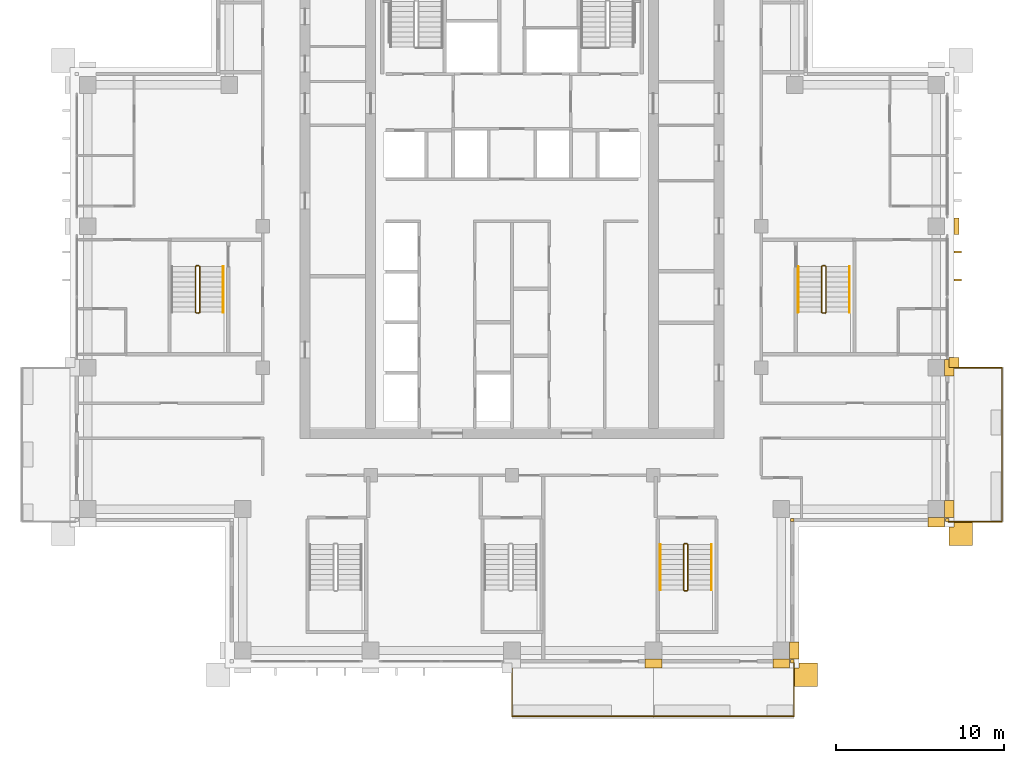
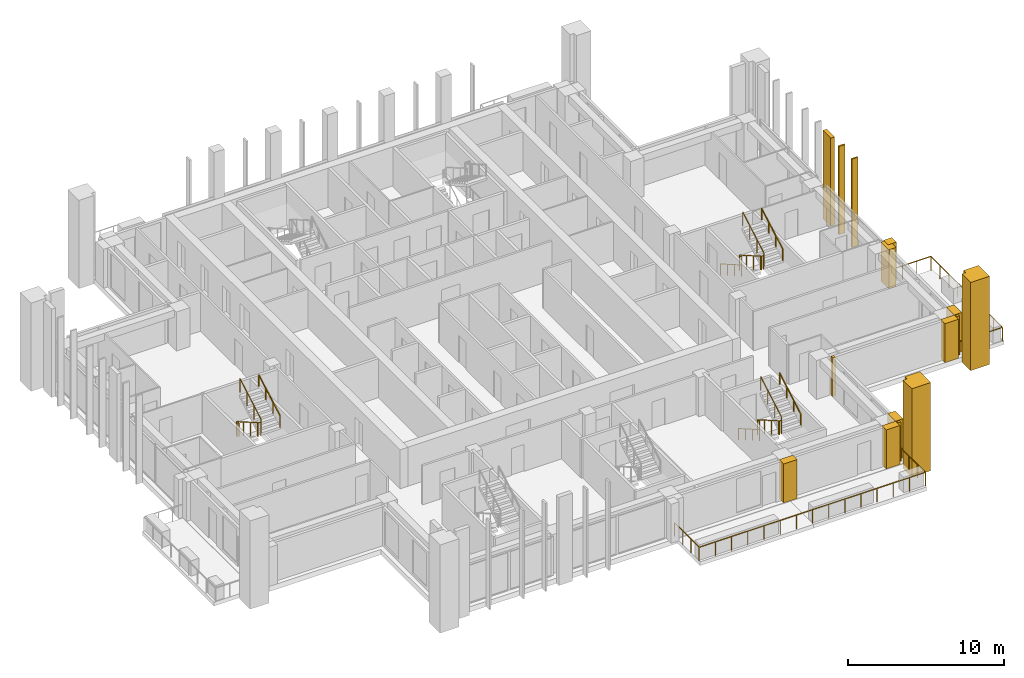
# One storey, part 16 of 18: 15 coverings, 11 railings.
"""IFC4 building model written with IfcOpenShell, lengths in metres."""

from ifc_helpers import new_model, si_unit, direction, frame, origin, origin_2d, place, context, subcontext, project, spatial, polyline, rectangle, outline, extrude, material, layer, layer_set, type_object, element, save


model = new_model("IFC4")

# Units and contexts
model_context = context("Model", 3, precision=1e-05, world=origin(), true_north=direction((0.0, 1.0)))
body_context = subcontext(model_context, "Body", "Model", "MODEL_VIEW")
ifc_project = project(units=[si_unit("LENGTHUNIT", "METRE"), si_unit("AREAUNIT", "SQUARE_METRE"), si_unit("VOLUMEUNIT", "CUBIC_METRE"), si_unit("PLANEANGLEUNIT", "RADIAN"), si_unit("MASSUNIT", "GRAM", prefix="KILO")], contexts=[model_context])

# Site, building, storey
site_placement = place(None, origin())
site = spatial("IfcSite", under=ifc_project, at=site_placement, CompositionType="ELEMENT")
building_placement = place(site_placement, origin())
building = spatial("IfcBuilding", under=site, at=building_placement, Name="Vermilion Ogive Tower", CompositionType="ELEMENT")
storey_placement = place(building_placement, frame((0.0, 0.0, 185.89990234375)))
storey = spatial("IfcBuildingStorey", under=building, at=storey_placement, Name="L48", CompositionType="ELEMENT", Elevation=185.89990234375)

# Railings
ifc_material_1 = material(Name="Stainless steel and glass", Category="steel")
railing_type_1 = type_object("IfcRailingType", Name="Balcony guard", PredefinedType="GUARDRAIL", material=ifc_material_1)
railing_1_placement = place(storey_placement, frame((0.0, -21.75, -0.039794921875)))
element("IfcRailing", 1, at=railing_1_placement, inside=storey, type_object=railing_type_1, Name="Guard S03", PredefinedType="GUARDRAIL", context=body_context, shape_type="SweptSolid", body=[
    extrude(rectangle(XDim=0.048095703125, YDim=0.048095703125, at=origin_2d()), frame((0.0, 0.0, 1.076171875), z_axis=(0.0, -1.0, 0.0), x_axis=(1.0, 0.0, 0.0)), (0.0, 0.0, 1.0), 3.159912109375),
    extrude(rectangle(XDim=0.048095703125, YDim=0.048095703125, at=origin_2d()), frame((0.0, -3.159912109375, 1.076171875), z_axis=(1.0, 0.0, 0.0), x_axis=(0.0, 1.0, 0.0)), (0.0, 0.0, 1.0), 8.39990234375),
    extrude(rectangle(XDim=0.0419921875, YDim=0.0419921875, at=origin_2d()), origin(), (0.0, 0.0, 1.0), 1.052001953125),
    extrude(rectangle(XDim=0.0419921875, YDim=0.0419921875, at=origin_2d()), frame((0.0, -1.05322265625, 0.0)), (0.0, 0.0, 1.0), 1.052001953125),
    extrude(rectangle(XDim=0.0419921875, YDim=0.0419921875, at=origin_2d()), frame((0.0, -2.106689453125, 0.0)), (0.0, 0.0, 1.0), 1.052001953125),
    extrude(rectangle(XDim=0.0419921875, YDim=0.0419921875, at=origin_2d()), frame((0.0, -3.159912109375, 0.0)), (0.0, 0.0, 1.0), 1.052001953125),
    extrude(rectangle(XDim=0.0419921875, YDim=0.0419921875, at=origin_2d()), frame((1.199951171875, -3.159912109375, 0.0)), (0.0, 0.0, 1.0), 1.052001953125),
    extrude(rectangle(XDim=0.0419921875, YDim=0.0419921875, at=origin_2d()), frame((2.39990234375, -3.159912109375, 0.0)), (0.0, 0.0, 1.0), 1.052001953125),
    extrude(rectangle(XDim=0.0419921875, YDim=0.0419921875, at=origin_2d()), frame((3.599853515625, -3.159912109375, 0.0)), (0.0, 0.0, 1.0), 1.052001953125),
    extrude(rectangle(XDim=0.0419921875, YDim=0.0419921875, at=origin_2d()), frame((4.800048828125, -3.159912109375, 0.0)), (0.0, 0.0, 1.0), 1.052001953125),
    extrude(rectangle(XDim=0.0419921875, YDim=0.0419921875, at=origin_2d()), frame((6.0, -3.159912109375, 0.0)), (0.0, 0.0, 1.0), 1.052001953125),
    extrude(rectangle(XDim=0.0419921875, YDim=0.0419921875, at=origin_2d()), frame((7.199951171875, -3.159912109375, 0.0)), (0.0, 0.0, 1.0), 1.052001953125),
    extrude(rectangle(XDim=0.0419921875, YDim=0.0419921875, at=origin_2d()), frame((8.39990234375, -3.159912109375, 0.0)), (0.0, 0.0, 1.0), 1.052001953125),
])
railing_2_placement = place(storey_placement, frame((8.39990234375, -24.909912109375, -0.039794921875)))
element("IfcRailing", 2, at=railing_2_placement, inside=storey, type_object=railing_type_1, Name="Guard S04", PredefinedType="GUARDRAIL", context=body_context, shape_type="SweptSolid", body=[
    extrude(rectangle(XDim=0.048095703125, YDim=0.048095703125, at=origin_2d()), frame((0.0, 0.0, 1.076171875), z_axis=(1.0, 0.0, 0.0), x_axis=(0.0, 1.0, 0.0)), (0.0, 0.0, 1.0), 8.35009765625),
    extrude(rectangle(XDim=0.048095703125, YDim=0.048095703125, at=origin_2d()), frame((8.35009765625, 0.0, 1.076171875), z_axis=(0.0, 1.0, 0.0), x_axis=(-1.0, 0.0, 0.0)), (0.0, 0.0, 1.0), 3.159912109375),
    extrude(rectangle(XDim=0.0419921875, YDim=0.0419921875, at=origin_2d()), origin(), (0.0, 0.0, 1.0), 1.052001953125),
    extrude(rectangle(XDim=0.0419921875, YDim=0.0419921875, at=origin_2d()), frame((1.19287109375, 0.0, 0.0)), (0.0, 0.0, 1.0), 1.052001953125),
    extrude(rectangle(XDim=0.0419921875, YDim=0.0419921875, at=origin_2d()), frame((2.3857421875, 0.0, 0.0)), (0.0, 0.0, 1.0), 1.052001953125),
    extrude(rectangle(XDim=0.0419921875, YDim=0.0419921875, at=origin_2d()), frame((3.57861328125, 0.0, 0.0)), (0.0, 0.0, 1.0), 1.052001953125),
    extrude(rectangle(XDim=0.0419921875, YDim=0.0419921875, at=origin_2d()), frame((4.771484375, 0.0, 0.0)), (0.0, 0.0, 1.0), 1.052001953125),
    extrude(rectangle(XDim=0.0419921875, YDim=0.0419921875, at=origin_2d()), frame((5.96435546875, 0.0, 0.0)), (0.0, 0.0, 1.0), 1.052001953125),
    extrude(rectangle(XDim=0.0419921875, YDim=0.0419921875, at=origin_2d()), frame((7.1572265625, 0.0, 0.0)), (0.0, 0.0, 1.0), 1.052001953125),
    extrude(rectangle(XDim=0.0419921875, YDim=0.0419921875, at=origin_2d()), frame((8.35009765625, 0.0, 0.0)), (0.0, 0.0, 1.0), 1.052001953125),
    extrude(rectangle(XDim=0.0419921875, YDim=0.0419921875, at=origin_2d()), frame((8.35009765625, 1.05322265625, 0.0)), (0.0, 0.0, 1.0), 1.052001953125),
    extrude(rectangle(XDim=0.0419921875, YDim=0.0419921875, at=origin_2d()), frame((8.35009765625, 2.106689453125, 0.0)), (0.0, 0.0, 1.0), 1.052001953125),
    extrude(rectangle(XDim=0.0419921875, YDim=0.0419921875, at=origin_2d()), frame((8.35009765625, 3.159912109375, 0.0)), (0.0, 0.0, 1.0), 1.052001953125),
])
railing_3_placement = place(storey_placement, frame((25.949951171875, -13.35009765625, -0.039794921875)))
element("IfcRailing", 3, at=railing_3_placement, inside=storey, type_object=railing_type_1, Name="Guard E01", PredefinedType="GUARDRAIL", context=body_context, shape_type="SweptSolid", body=[
    extrude(rectangle(XDim=0.048095703125, YDim=0.048095703125, at=origin_2d()), frame((0.0, 0.0, 1.076171875), z_axis=(1.0, 0.0, 0.0), x_axis=(0.0, 1.0, 0.0)), (0.0, 0.0, 1.0), 3.16015625),
    extrude(rectangle(XDim=0.048095703125, YDim=0.048095703125, at=origin_2d()), frame((3.16015625, 0.0, 1.076171875), z_axis=(0.0, 1.0, 0.0), x_axis=(-1.0, 0.0, 0.0)), (0.0, 0.0, 1.0), 9.150146484375),
    extrude(rectangle(XDim=0.048095703125, YDim=0.048095703125, at=origin_2d()), frame((3.16015625, 9.150146484375, 1.076171875), z_axis=(-1.0, 0.0, 0.0), x_axis=(0.0, -1.0, 0.0)), (0.0, 0.0, 1.0), 3.16015625),
    extrude(rectangle(XDim=0.0419921875, YDim=0.0419921875, at=origin_2d()), origin(), (0.0, 0.0, 1.0), 1.052001953125),
    extrude(rectangle(XDim=0.0419921875, YDim=0.0419921875, at=origin_2d()), frame((1.053466796875, 0.0, 0.0)), (0.0, 0.0, 1.0), 1.052001953125),
    extrude(rectangle(XDim=0.0419921875, YDim=0.0419921875, at=origin_2d()), frame((2.106689453125, 0.0, 0.0)), (0.0, 0.0, 1.0), 1.052001953125),
    extrude(rectangle(XDim=0.0419921875, YDim=0.0419921875, at=origin_2d()), frame((3.16015625, 0.0, 0.0)), (0.0, 0.0, 1.0), 1.052001953125),
    extrude(rectangle(XDim=0.0419921875, YDim=0.0419921875, at=origin_2d()), frame((3.16015625, 1.143798828125, 0.0)), (0.0, 0.0, 1.0), 1.052001953125),
    extrude(rectangle(XDim=0.0419921875, YDim=0.0419921875, at=origin_2d()), frame((3.16015625, 2.28759765625, 0.0)), (0.0, 0.0, 1.0), 1.052001953125),
    extrude(rectangle(XDim=0.0419921875, YDim=0.0419921875, at=origin_2d()), frame((3.16015625, 3.431396484375, 0.0)), (0.0, 0.0, 1.0), 1.052001953125),
    extrude(rectangle(XDim=0.0419921875, YDim=0.0419921875, at=origin_2d()), frame((3.16015625, 4.5751953125, 0.0)), (0.0, 0.0, 1.0), 1.052001953125),
    extrude(rectangle(XDim=0.0419921875, YDim=0.0419921875, at=origin_2d()), frame((3.16015625, 5.71875, 0.0)), (0.0, 0.0, 1.0), 1.052001953125),
    extrude(rectangle(XDim=0.0419921875, YDim=0.0419921875, at=origin_2d()), frame((3.16015625, 6.862548828125, 0.0)), (0.0, 0.0, 1.0), 1.052001953125),
    extrude(rectangle(XDim=0.0419921875, YDim=0.0419921875, at=origin_2d()), frame((3.16015625, 8.00634765625, 0.0)), (0.0, 0.0, 1.0), 1.052001953125),
    extrude(rectangle(XDim=0.0419921875, YDim=0.0419921875, at=origin_2d()), frame((3.16015625, 9.150146484375, 0.0)), (0.0, 0.0, 1.0), 1.052001953125),
    extrude(rectangle(XDim=0.0419921875, YDim=0.0419921875, at=origin_2d()), frame((2.106689453125, 9.150146484375, 0.0)), (0.0, 0.0, 1.0), 1.052001953125),
    extrude(rectangle(XDim=0.0419921875, YDim=0.0419921875, at=origin_2d()), frame((1.053466796875, 9.150146484375, 0.0)), (0.0, 0.0, 1.0), 1.052001953125),
    extrude(rectangle(XDim=0.0419921875, YDim=0.0419921875, at=origin_2d()), frame((0.0, 9.150146484375, 0.0)), (0.0, 0.0, 1.0), 1.052001953125),
])

# Coverings
ifc_material_2 = material(Name="Glazed ceramic screen")
ifc_layer = layer(ifc_material_2, 0.14990234375)
ifc_layer_set = layer_set([ifc_layer], Name="Ceramic solar screen fin")
covering_type_1 = type_object("IfcCoveringType", Name="Ceramic solar screen fin", PredefinedType="CLADDING", material=ifc_layer_set)
covering_1_placement = place(storey_placement, frame((0.0, 0.0, -0.39990234375)))
element("IfcCovering", 4, at=covering_1_placement, inside=storey, type_object=covering_type_1, Name="Solar screen blade E001", PredefinedType="CLADDING", context=body_context, shape_type="SweptSolid", body=[
    extrude(outline(polyline([(26.699951171875, 0.965087890625), (26.699951171875, 1.0849609375), (26.25, 1.0849609375), (26.25, 0.965087890625), (26.699951171875, 0.965087890625)])), origin(), (0.0, 0.0, 1.0), 6.89990234375),
])
covering_2_placement = place(storey_placement, frame((0.0, 0.0, -0.39990234375)))
element("IfcCovering", 5, at=covering_2_placement, inside=storey, type_object=covering_type_1, Name="Solar screen blade E002", PredefinedType="CLADDING", context=body_context, shape_type="SweptSolid", body=[
    extrude(outline(polyline([(26.699951171875, 2.614990234375), (26.699951171875, 2.735107421875), (26.25, 2.735107421875), (26.25, 2.614990234375), (26.699951171875, 2.614990234375)])), origin(), (0.0, 0.0, 1.0), 6.89990234375),
])

# Railings
ifc_material_3 = material(Name="Steel S355 painted", Category="steel")
railing_type_2 = type_object("IfcRailingType", Name="Stair guard 1100", PredefinedType="GUARDRAIL", material=ifc_material_3)
railing_4_placement = place(storey_placement, frame((10.39990234375, -14.64990234375, 0.0)))
element("IfcRailing", 6, at=railing_4_placement, inside=storey, type_object=railing_type_2, Name="L48 ST5 stair guard 4", PredefinedType="GUARDRAIL", context=body_context, shape_type="SweptSolid", body=[
    extrude(rectangle(XDim=0.048095703125, YDim=0.048095703125, at=origin_2d()), frame((0.0, 0.0, 1.076171875), z_axis=(-1.0, 0.0, 0.0), x_axis=(0.0, -1.0, 0.0)), (0.0, 0.0, 1.0), 0.14990234375),
    extrude(rectangle(XDim=0.048095703125, YDim=0.048095703125, at=origin_2d()), frame((-0.14990234375, 0.0, 1.076171875), z_axis=(-0.268277960024, -0.268277960024, 0.925231793839), x_axis=(0.707106781187, -0.707106781187, 0.0)), (0.0, 0.0, 1.0), 0.1865234375),
    extrude(rectangle(XDim=0.048095703125, YDim=0.048095703125, at=origin_2d()), frame((-0.199951171875, -0.050048828125, 1.24853515625), z_axis=(0.0, -0.866903762492, 0.498475542607), x_axis=(1.0, 0.0, 0.0)), (0.0, 0.0, 1.0), 3.114501953125),
    extrude(rectangle(XDim=0.048095703125, YDim=0.048095703125, at=origin_2d()), frame((-0.199951171875, -2.75, 2.80126953125), z_axis=(0.707106781187, -0.707106781187, 0.0), x_axis=(0.707106781187, 0.707106781187, 0.0)), (0.0, 0.0, 1.0), 0.07080078125),
    extrude(rectangle(XDim=0.048095703125, YDim=0.048095703125, at=origin_2d()), frame((-0.14990234375, -2.800048828125, 2.80126953125), z_axis=(1.0, 0.0, 0.0), x_axis=(0.0, 1.0, 0.0)), (0.0, 0.0, 1.0), 0.14990234375),
    extrude(rectangle(XDim=0.048095703125, YDim=0.048095703125, at=origin_2d()), frame((0.0, -2.800048828125, 2.80126953125), z_axis=(0.268277960024, 0.268277960024, 0.925231793839), x_axis=(-0.707106781187, 0.707106781187, 0.0)), (0.0, 0.0, 1.0), 0.1865234375),
    extrude(rectangle(XDim=0.048095703125, YDim=0.048095703125, at=origin_2d()), frame((0.050048828125, -2.75, 2.9736328125), z_axis=(0.0, 0.866903762492, 0.498475542607), x_axis=(-1.0, 0.0, 0.0)), (0.0, 0.0, 1.0), 3.114501953125),
    extrude(rectangle(XDim=0.0419921875, YDim=0.0419921875, at=origin_2d()), origin(), (0.0, 0.0, 1.0), 1.052001953125),
    extrude(rectangle(XDim=0.0419921875, YDim=0.0419921875, at=origin_2d()), frame((-0.14990234375, 0.0, 0.0)), (0.0, 0.0, 1.0), 1.052001953125),
    extrude(rectangle(XDim=0.0419921875, YDim=0.0419921875, at=origin_2d()), frame((-0.199951171875, -0.050048828125, 0.172607421875)), (0.0, 0.0, 1.0), 1.052001953125),
    extrude(rectangle(XDim=0.0419921875, YDim=0.0419921875, at=origin_2d()), frame((-0.199951171875, -0.949951171875, 0.690185546875)), (0.0, 0.0, 1.0), 1.052001953125),
    extrude(rectangle(XDim=0.0419921875, YDim=0.0419921875, at=origin_2d()), frame((-0.199951171875, -1.85009765625, 1.20751953125)), (0.0, 0.0, 1.0), 1.052001953125),
    extrude(rectangle(XDim=0.0419921875, YDim=0.0419921875, at=origin_2d()), frame((-0.199951171875, -2.75, 1.72509765625)), (0.0, 0.0, 1.0), 1.052001953125),
    extrude(rectangle(XDim=0.0419921875, YDim=0.0419921875, at=origin_2d()), frame((-0.14990234375, -2.800048828125, 1.72509765625)), (0.0, 0.0, 1.0), 1.052001953125),
    extrude(rectangle(XDim=0.0419921875, YDim=0.0419921875, at=origin_2d()), frame((0.0, -2.800048828125, 1.72509765625)), (0.0, 0.0, 1.0), 1.052001953125),
    extrude(rectangle(XDim=0.0419921875, YDim=0.0419921875, at=origin_2d()), frame((0.050048828125, -2.75, 1.897705078125)), (0.0, 0.0, 1.0), 1.052001953125),
    extrude(rectangle(XDim=0.0419921875, YDim=0.0419921875, at=origin_2d()), frame((0.050048828125, -1.85009765625, 2.415283203125)), (0.0, 0.0, 1.0), 1.052001953125),
    extrude(rectangle(XDim=0.0419921875, YDim=0.0419921875, at=origin_2d()), frame((0.050048828125, -0.949951171875, 2.9326171875)), (0.0, 0.0, 1.0), 1.052001953125),
    extrude(rectangle(XDim=0.0419921875, YDim=0.0419921875, at=origin_2d()), frame((0.050048828125, -0.050048828125, 3.4501953125)), (0.0, 0.0, 1.0), 1.052001953125),
])
railing_5_placement = place(storey_placement, frame((18.60009765625, 1.85009765625, 0.0)))
element("IfcRailing", 7, at=railing_5_placement, inside=storey, type_object=railing_type_2, Name="L48 ST8 stair guard 4", PredefinedType="GUARDRAIL", context=body_context, shape_type="SweptSolid", body=[
    extrude(rectangle(XDim=0.048095703125, YDim=0.048095703125, at=origin_2d()), frame((0.0, 0.0, 1.076171875), z_axis=(-1.0, 0.0, 0.0), x_axis=(0.0, -1.0, 0.0)), (0.0, 0.0, 1.0), 0.150146484375),
    extrude(rectangle(XDim=0.048095703125, YDim=0.048095703125, at=origin_2d()), frame((-0.150146484375, 0.0, 1.076171875), z_axis=(-0.268277960024, -0.268277960024, 0.925231793839), x_axis=(0.707106781187, -0.707106781187, 0.0)), (0.0, 0.0, 1.0), 0.1865234375),
    extrude(rectangle(XDim=0.048095703125, YDim=0.048095703125, at=origin_2d()), frame((-0.2001953125, -0.050048828125, 1.24853515625), z_axis=(0.0, -0.866903762492, 0.498475542607), x_axis=(1.0, 0.0, 0.0)), (0.0, 0.0, 1.0), 3.114501953125),
    extrude(rectangle(XDim=0.048095703125, YDim=0.048095703125, at=origin_2d()), frame((-0.2001953125, -2.75, 2.80126953125), z_axis=(0.707106781187, -0.707106781187, 0.0), x_axis=(0.707106781187, 0.707106781187, 0.0)), (0.0, 0.0, 1.0), 0.07080078125),
    extrude(rectangle(XDim=0.048095703125, YDim=0.048095703125, at=origin_2d()), frame((-0.150146484375, -2.800048828125, 2.80126953125), z_axis=(1.0, 0.0, 0.0), x_axis=(0.0, 1.0, 0.0)), (0.0, 0.0, 1.0), 0.150146484375),
    extrude(rectangle(XDim=0.048095703125, YDim=0.048095703125, at=origin_2d()), frame((0.0, -2.800048828125, 2.80126953125), z_axis=(0.267062837333, 0.268371968888, 0.925556009775), x_axis=(-0.708833529934, 0.705375805398, 0.0)), (0.0, 0.0, 1.0), 0.1865234375),
    extrude(rectangle(XDim=0.048095703125, YDim=0.048095703125, at=origin_2d()), frame((0.0498046875, -2.75, 2.9736328125), z_axis=(0.0, 0.866903762492, 0.498475542607), x_axis=(-1.0, 0.0, 0.0)), (0.0, 0.0, 1.0), 3.114501953125),
    extrude(rectangle(XDim=0.0419921875, YDim=0.0419921875, at=origin_2d()), origin(), (0.0, 0.0, 1.0), 1.052001953125),
    extrude(rectangle(XDim=0.0419921875, YDim=0.0419921875, at=origin_2d()), frame((-0.150146484375, 0.0, 0.0)), (0.0, 0.0, 1.0), 1.052001953125),
    extrude(rectangle(XDim=0.0419921875, YDim=0.0419921875, at=origin_2d()), frame((-0.2001953125, -0.050048828125, 0.172607421875)), (0.0, 0.0, 1.0), 1.052001953125),
    extrude(rectangle(XDim=0.0419921875, YDim=0.0419921875, at=origin_2d()), frame((-0.2001953125, -0.949951171875, 0.690185546875)), (0.0, 0.0, 1.0), 1.052001953125),
    extrude(rectangle(XDim=0.0419921875, YDim=0.0419921875, at=origin_2d()), frame((-0.2001953125, -1.85009765625, 1.20751953125)), (0.0, 0.0, 1.0), 1.052001953125),
    extrude(rectangle(XDim=0.0419921875, YDim=0.0419921875, at=origin_2d()), frame((-0.2001953125, -2.75, 1.72509765625)), (0.0, 0.0, 1.0), 1.052001953125),
    extrude(rectangle(XDim=0.0419921875, YDim=0.0419921875, at=origin_2d()), frame((-0.150146484375, -2.800048828125, 1.72509765625)), (0.0, 0.0, 1.0), 1.052001953125),
    extrude(rectangle(XDim=0.0419921875, YDim=0.0419921875, at=origin_2d()), frame((0.0, -2.800048828125, 1.72509765625)), (0.0, 0.0, 1.0), 1.052001953125),
    extrude(rectangle(XDim=0.0419921875, YDim=0.0419921875, at=origin_2d()), frame((0.0498046875, -2.75, 1.897705078125)), (0.0, 0.0, 1.0), 1.052001953125),
    extrude(rectangle(XDim=0.0419921875, YDim=0.0419921875, at=origin_2d()), frame((0.0498046875, -1.85009765625, 2.415283203125)), (0.0, 0.0, 1.0), 1.052001953125),
    extrude(rectangle(XDim=0.0419921875, YDim=0.0419921875, at=origin_2d()), frame((0.0498046875, -0.949951171875, 2.9326171875)), (0.0, 0.0, 1.0), 1.052001953125),
    extrude(rectangle(XDim=0.0419921875, YDim=0.0419921875, at=origin_2d()), frame((0.0498046875, -0.050048828125, 3.4501953125)), (0.0, 0.0, 1.0), 1.052001953125),
])
railing_6_placement = place(storey_placement, frame((-18.60009765625, 1.85009765625, 0.0)))
element("IfcRailing", 8, at=railing_6_placement, inside=storey, type_object=railing_type_2, Name="L48 ST9 stair guard 4", PredefinedType="GUARDRAIL", context=body_context, shape_type="SweptSolid", body=[
    extrude(rectangle(XDim=0.048095703125, YDim=0.048095703125, at=origin_2d()), frame((0.0, 0.0, 1.076171875), z_axis=(-1.0, 0.0, 0.0), x_axis=(0.0, -1.0, 0.0)), (0.0, 0.0, 1.0), 0.14990234375),
    extrude(rectangle(XDim=0.048095703125, YDim=0.048095703125, at=origin_2d()), frame((-0.14990234375, 0.0, 1.076171875), z_axis=(-0.268277960024, -0.268277960024, 0.925231793839), x_axis=(0.707106781187, -0.707106781187, 0.0)), (0.0, 0.0, 1.0), 0.1865234375),
    extrude(rectangle(XDim=0.048095703125, YDim=0.048095703125, at=origin_2d()), frame((-0.199951171875, -0.050048828125, 1.24853515625), z_axis=(0.0, -0.866903762492, 0.498475542607), x_axis=(1.0, 0.0, 0.0)), (0.0, 0.0, 1.0), 3.114501953125),
    extrude(rectangle(XDim=0.048095703125, YDim=0.048095703125, at=origin_2d()), frame((-0.199951171875, -2.75, 2.80126953125), z_axis=(0.707106781187, -0.707106781187, 0.0), x_axis=(0.707106781187, 0.707106781187, 0.0)), (0.0, 0.0, 1.0), 0.07080078125),
    extrude(rectangle(XDim=0.048095703125, YDim=0.048095703125, at=origin_2d()), frame((-0.14990234375, -2.800048828125, 2.80126953125), z_axis=(1.0, 0.0, 0.0), x_axis=(0.0, 1.0, 0.0)), (0.0, 0.0, 1.0), 0.14990234375),
    extrude(rectangle(XDim=0.048095703125, YDim=0.048095703125, at=origin_2d()), frame((0.0, -2.800048828125, 2.80126953125), z_axis=(0.268277960024, 0.268277960024, 0.925231793839), x_axis=(-0.707106781187, 0.707106781187, 0.0)), (0.0, 0.0, 1.0), 0.1865234375),
    extrude(rectangle(XDim=0.048095703125, YDim=0.048095703125, at=origin_2d()), frame((0.050048828125, -2.75, 2.9736328125), z_axis=(0.0, 0.866903762492, 0.498475542607), x_axis=(-1.0, 0.0, 0.0)), (0.0, 0.0, 1.0), 3.114501953125),
    extrude(rectangle(XDim=0.0419921875, YDim=0.0419921875, at=origin_2d()), origin(), (0.0, 0.0, 1.0), 1.052001953125),
    extrude(rectangle(XDim=0.0419921875, YDim=0.0419921875, at=origin_2d()), frame((-0.14990234375, 0.0, 0.0)), (0.0, 0.0, 1.0), 1.052001953125),
    extrude(rectangle(XDim=0.0419921875, YDim=0.0419921875, at=origin_2d()), frame((-0.199951171875, -0.050048828125, 0.172607421875)), (0.0, 0.0, 1.0), 1.052001953125),
    extrude(rectangle(XDim=0.0419921875, YDim=0.0419921875, at=origin_2d()), frame((-0.199951171875, -0.949951171875, 0.690185546875)), (0.0, 0.0, 1.0), 1.052001953125),
    extrude(rectangle(XDim=0.0419921875, YDim=0.0419921875, at=origin_2d()), frame((-0.199951171875, -1.85009765625, 1.20751953125)), (0.0, 0.0, 1.0), 1.052001953125),
    extrude(rectangle(XDim=0.0419921875, YDim=0.0419921875, at=origin_2d()), frame((-0.199951171875, -2.75, 1.72509765625)), (0.0, 0.0, 1.0), 1.052001953125),
    extrude(rectangle(XDim=0.0419921875, YDim=0.0419921875, at=origin_2d()), frame((-0.14990234375, -2.800048828125, 1.72509765625)), (0.0, 0.0, 1.0), 1.052001953125),
    extrude(rectangle(XDim=0.0419921875, YDim=0.0419921875, at=origin_2d()), frame((0.0, -2.800048828125, 1.72509765625)), (0.0, 0.0, 1.0), 1.052001953125),
    extrude(rectangle(XDim=0.0419921875, YDim=0.0419921875, at=origin_2d()), frame((0.050048828125, -2.75, 1.897705078125)), (0.0, 0.0, 1.0), 1.052001953125),
    extrude(rectangle(XDim=0.0419921875, YDim=0.0419921875, at=origin_2d()), frame((0.050048828125, -1.85009765625, 2.415283203125)), (0.0, 0.0, 1.0), 1.052001953125),
    extrude(rectangle(XDim=0.0419921875, YDim=0.0419921875, at=origin_2d()), frame((0.050048828125, -0.949951171875, 2.9326171875)), (0.0, 0.0, 1.0), 1.052001953125),
    extrude(rectangle(XDim=0.0419921875, YDim=0.0419921875, at=origin_2d()), frame((0.050048828125, -0.050048828125, 3.4501953125)), (0.0, 0.0, 1.0), 1.052001953125),
])
ifc_material_4 = material(Name="Stainless steel", Category="steel")
railing_type_3 = type_object("IfcRailingType", Name="Stair handrail 900", PredefinedType="HANDRAIL", material=ifc_material_4)
railing_7_placement = place(storey_placement, frame((8.800048828125, -14.699951171875, 0.172607421875)))
element("IfcRailing", 9, at=railing_7_placement, inside=storey, type_object=railing_type_3, Name="L48 ST5 stair handrail 1", PredefinedType="HANDRAIL", context=body_context, shape_type="SweptSolid", body=[
    extrude(rectangle(XDim=0.048095703125, YDim=0.048095703125, at=origin_2d()), frame((0.0, 0.0, 0.8759765625), z_axis=(0.0, -0.866903762492, 0.498475542607), x_axis=(1.0, 0.0, 0.0)), (0.0, 0.0, 1.0), 3.114501953125),
    extrude(rectangle(XDim=0.0419921875, YDim=0.0419921875, at=origin_2d()), origin(), (0.0, 0.0, 1.0), 0.851806640625),
    extrude(rectangle(XDim=0.0419921875, YDim=0.0419921875, at=origin_2d()), frame((0.0, -0.89990234375, 0.517578125)), (0.0, 0.0, 1.0), 0.851806640625),
    extrude(rectangle(XDim=0.0419921875, YDim=0.0419921875, at=origin_2d()), frame((0.0, -1.800048828125, 1.034912109375)), (0.0, 0.0, 1.0), 0.851806640625),
    extrude(rectangle(XDim=0.0419921875, YDim=0.0419921875, at=origin_2d()), frame((0.0, -2.699951171875, 1.552490234375)), (0.0, 0.0, 1.0), 0.851806640625),
])
railing_8_placement = place(storey_placement, frame((11.85009765625, -17.39990234375, 1.897705078125)))
element("IfcRailing", 10, at=railing_8_placement, inside=storey, type_object=railing_type_3, Name="L48 ST5 stair handrail 2", PredefinedType="HANDRAIL", context=body_context, shape_type="SweptSolid", body=[
    extrude(rectangle(XDim=0.048095703125, YDim=0.048095703125, at=origin_2d()), frame((0.0, 0.0, 0.8759765625), z_axis=(0.0, 0.866903762492, 0.498475542607), x_axis=(-1.0, 0.0, 0.0)), (0.0, 0.0, 1.0), 3.114501953125),
    extrude(rectangle(XDim=0.0419921875, YDim=0.0419921875, at=origin_2d()), origin(), (0.0, 0.0, 1.0), 0.851806640625),
    extrude(rectangle(XDim=0.0419921875, YDim=0.0419921875, at=origin_2d()), frame((0.0, 0.89990234375, 0.517578125)), (0.0, 0.0, 1.0), 0.851806640625),
    extrude(rectangle(XDim=0.0419921875, YDim=0.0419921875, at=origin_2d()), frame((0.0, 1.800048828125, 1.034912109375)), (0.0, 0.0, 1.0), 0.851806640625),
    extrude(rectangle(XDim=0.0419921875, YDim=0.0419921875, at=origin_2d()), frame((0.0, 2.699951171875, 1.552490234375)), (0.0, 0.0, 1.0), 0.851806640625),
])
railing_9_placement = place(storey_placement, frame((17.0, 1.800048828125, 0.172607421875)))
element("IfcRailing", 11, at=railing_9_placement, inside=storey, type_object=railing_type_3, Name="L48 ST8 stair handrail 1", PredefinedType="HANDRAIL", context=body_context, shape_type="SweptSolid", body=[
    extrude(rectangle(XDim=0.048095703125, YDim=0.048095703125, at=origin_2d()), frame((0.0, 0.0, 0.8759765625), z_axis=(0.0, -0.866903762492, 0.498475542607), x_axis=(1.0, 0.0, 0.0)), (0.0, 0.0, 1.0), 3.114501953125),
    extrude(rectangle(XDim=0.0419921875, YDim=0.0419921875, at=origin_2d()), origin(), (0.0, 0.0, 1.0), 0.851806640625),
    extrude(rectangle(XDim=0.0419921875, YDim=0.0419921875, at=origin_2d()), frame((0.0, -0.89990234375, 0.517578125)), (0.0, 0.0, 1.0), 0.851806640625),
    extrude(rectangle(XDim=0.0419921875, YDim=0.0419921875, at=origin_2d()), frame((0.0, -1.800048828125, 1.034912109375)), (0.0, 0.0, 1.0), 0.851806640625),
    extrude(rectangle(XDim=0.0419921875, YDim=0.0419921875, at=origin_2d()), frame((0.0, -2.699951171875, 1.552490234375)), (0.0, 0.0, 1.0), 0.851806640625),
])
for number, where, name in (
    (12, (20.050048828125, -0.89990234375, 1.897705078125), "L48 ST8 stair handrail 2"),
    (13, (-17.14990234375, -0.89990234375, 1.897705078125), "L48 ST9 stair handrail 2"),
):
    element("IfcRailing", number, at=place(storey_placement, frame(where)), inside=storey, type_object=railing_type_3, Name=name, PredefinedType="HANDRAIL", context=body_context, shape_type="SweptSolid", body=[
        extrude(rectangle(XDim=0.048095703125, YDim=0.048095703125, at=origin_2d()), frame((0.0, 0.0, 0.8759765625), z_axis=(0.0, 0.866903762492, 0.498475542607), x_axis=(-1.0, 0.0, 0.0)), (0.0, 0.0, 1.0), 3.114501953125),
        extrude(rectangle(XDim=0.0419921875, YDim=0.0419921875, at=origin_2d()), origin(), (0.0, 0.0, 1.0), 0.851806640625),
        extrude(rectangle(XDim=0.0419921875, YDim=0.0419921875, at=origin_2d()), frame((0.0, 0.89990234375, 0.517578125)), (0.0, 0.0, 1.0), 0.851806640625),
        extrude(rectangle(XDim=0.0419921875, YDim=0.0419921875, at=origin_2d()), frame((0.0, 1.800048828125, 1.034912109375)), (0.0, 0.0, 1.0), 0.851806640625),
        extrude(rectangle(XDim=0.0419921875, YDim=0.0419921875, at=origin_2d()), frame((0.0, 2.699951171875, 1.552490234375)), (0.0, 0.0, 1.0), 0.851806640625),
    ])

# Coverings
ifc_material_5 = material(Name="Stone cladding", Category="masonry")
covering_type_2 = type_object("IfcCoveringType", Name="Stone corner buttress", PredefinedType="CLADDING", material=ifc_material_5)
covering_3_placement = place(storey_placement, origin())
element("IfcCovering", 14, at=covering_3_placement, inside=storey, type_object=covering_type_2, Name="Stone crease pier EK", PredefinedType="CLADDING", context=body_context, shape_type="SweptSolid", body=[
    extrude(outline(polyline([(26.550048828125, -4.199951171875), (26.550048828125, -3.60009765625), (25.949951171875, -3.60009765625), (25.949951171875, -4.199951171875), (26.550048828125, -4.199951171875)])), origin(), (0.0, 0.0, 1.0), 3.050048828125),
])
covering_4_placement = place(storey_placement, frame((0.0, 0.0, -0.39990234375)))
element("IfcCovering", 15, at=covering_4_placement, inside=storey, type_object=covering_type_2, Name="Stone corner buttress X11", PredefinedType="CLADDING", context=body_context, shape_type="SweptSolid", body=[
    extrude(outline(polyline([(16.75, -23.14990234375), (16.75, -22.050048828125), (17.050048828125, -22.050048828125), (17.050048828125, -21.75), (18.14990234375, -21.75), (18.14990234375, -23.14990234375), (16.75, -23.14990234375)])), origin(), (0.0, 0.0, 1.0), 6.89990234375),
])
covering_5_placement = place(storey_placement, frame((0.0, 0.0, -0.39990234375)))
element("IfcCovering", 16, at=covering_5_placement, inside=storey, type_object=covering_type_2, Name="Stone corner buttress E1", PredefinedType="CLADDING", context=body_context, shape_type="SweptSolid", body=[
    extrude(outline(polyline([(26.25, -13.64990234375), (26.25, -13.35009765625), (27.35009765625, -13.35009765625), (27.35009765625, -14.75), (25.949951171875, -14.75), (25.949951171875, -13.64990234375), (26.25, -13.64990234375)])), origin(), (0.0, 0.0, 1.0), 6.89990234375),
])
ifc_material_6 = material(Name="Stone cladding", Category="masonry")
covering_type_3 = type_object("IfcCoveringType", Name="Stone pier", PredefinedType="CLADDING", material=ifc_material_6)
covering_6_placement = place(storey_placement, origin())
element("IfcCovering", 17, at=covering_6_placement, inside=storey, type_object=covering_type_3, Name="Stone corner pier SE1", PredefinedType="CLADDING", context=body_context, shape_type="SweptSolid", body=[
    extrude(outline(polyline([(16.550048828125, -21.550048828125), (16.75, -21.550048828125), (16.75, -21.75), (16.550048828125, -21.75), (16.550048828125, -21.550048828125)])), origin(), (0.0, 0.0, 1.0), 3.050048828125),
])
covering_7_placement = place(storey_placement, origin())
element("IfcCovering", 18, at=covering_7_placement, inside=storey, type_object=covering_type_3, Name="Stone corner pier X1E1", PredefinedType="CLADDING", context=body_context, shape_type="SweptSolid", body=[
    extrude(outline(polyline([(16.550048828125, -13.14990234375), (16.75, -13.14990234375), (16.75, -13.35009765625), (16.550048828125, -13.35009765625), (16.550048828125, -13.14990234375)])), origin(), (0.0, 0.0, 1.0), 3.050048828125),
])
covering_8_placement = place(storey_placement, origin())
element("IfcCovering", 19, at=covering_8_placement, inside=storey, type_object=covering_type_3, Name="Stone corner pier X2E1", PredefinedType="CLADDING", context=body_context, shape_type="SweptSolid", body=[
    extrude(outline(polyline([(25.75, -13.14990234375), (25.949951171875, -13.14990234375), (25.949951171875, -13.35009765625), (25.75, -13.35009765625), (25.75, -13.14990234375)])), origin(), (0.0, 0.0, 1.0), 3.050048828125),
])
covering_9_placement = place(storey_placement, frame((0.0, 0.0, -0.39990234375)))
element("IfcCovering", 20, at=covering_9_placement, inside=storey, type_object=covering_type_3, Name="Stone pier P+0252+042", PredefinedType="CLADDING", context=body_context, shape_type="SweptSolid", body=[
    extrude(outline(polyline([(26.550048828125, 4.699951171875), (26.550048828125, 3.699951171875), (26.25, 3.699951171875), (26.25, 4.699951171875), (26.550048828125, 4.699951171875)])), origin(), (0.0, 0.0, 1.0), 6.89990234375),
])
covering_10_placement = place(storey_placement, origin())
element("IfcCovering", 21, at=covering_10_placement, inside=storey, type_object=covering_type_3, Name="Stone pier P+0084-210", PredefinedType="CLADDING", context=body_context, shape_type="SweptSolid", body=[
    extrude(outline(polyline([(8.89990234375, -21.5), (8.89990234375, -22.050048828125), (7.89990234375, -22.050048828125), (7.89990234375, -21.5), (7.89990234375, -21.5), (8.89990234375, -21.5)])), origin(), (0.0, 0.0, 1.0), 3.050048828125),
])
covering_11_placement = place(storey_placement, origin())
element("IfcCovering", 22, at=covering_11_placement, inside=storey, type_object=covering_type_3, Name="Stone pier P+0160-210S", PredefinedType="CLADDING", context=body_context, shape_type="SweptSolid", body=[
    extrude(outline(polyline([(16.5, -22.050048828125), (15.5, -22.050048828125), (15.5, -21.5), (16.5, -21.5), (16.5, -22.050048828125)])), origin(), (0.0, 0.0, 1.0), 3.050048828125),
])
covering_12_placement = place(storey_placement, origin())
element("IfcCovering", 23, at=covering_12_placement, inside=storey, type_object=covering_type_3, Name="Stone pier P+0160-210X1", PredefinedType="CLADDING", context=body_context, shape_type="SweptSolid", body=[
    extrude(outline(polyline([(17.050048828125, -21.5), (16.5, -21.5), (16.5, -20.5), (17.050048828125, -20.5), (17.050048828125, -21.5)])), origin(), (0.0, 0.0, 1.0), 3.050048828125),
])
covering_13_placement = place(storey_placement, origin())
element("IfcCovering", 24, at=covering_13_placement, inside=storey, type_object=covering_type_3, Name="Stone pier P+0252-042", PredefinedType="CLADDING", context=body_context, shape_type="SweptSolid", body=[
    extrude(outline(polyline([(25.699951171875, -3.699951171875), (25.949951171875, -3.699951171875), (25.949951171875, -4.199951171875), (26.25, -4.199951171875), (26.25, -4.699951171875), (25.699951171875, -4.699951171875), (25.699951171875, -4.699951171875), (25.699951171875, -3.699951171875)])), origin(), (0.0, 0.0, 1.0), 3.050048828125),
])
covering_14_placement = place(storey_placement, origin())
element("IfcCovering", 25, at=covering_14_placement, inside=storey, type_object=covering_type_3, Name="Stone pier P+0252-126X2", PredefinedType="CLADDING", context=body_context, shape_type="SweptSolid", body=[
    extrude(outline(polyline([(25.699951171875, -13.64990234375), (24.699951171875, -13.64990234375), (24.699951171875, -13.10009765625), (25.699951171875, -13.10009765625), (25.699951171875, -13.64990234375)])), origin(), (0.0, 0.0, 1.0), 3.050048828125),
])
covering_15_placement = place(storey_placement, origin())
element("IfcCovering", 26, at=covering_15_placement, inside=storey, type_object=covering_type_3, Name="Stone pier P+0252-126E", PredefinedType="CLADDING", context=body_context, shape_type="SweptSolid", body=[
    extrude(outline(polyline([(26.25, -13.10009765625), (25.699951171875, -13.10009765625), (25.699951171875, -12.10009765625), (26.25, -12.10009765625), (26.25, -13.10009765625)])), origin(), (0.0, 0.0, 1.0), 3.050048828125),
])

save(model, "model.ifc")
